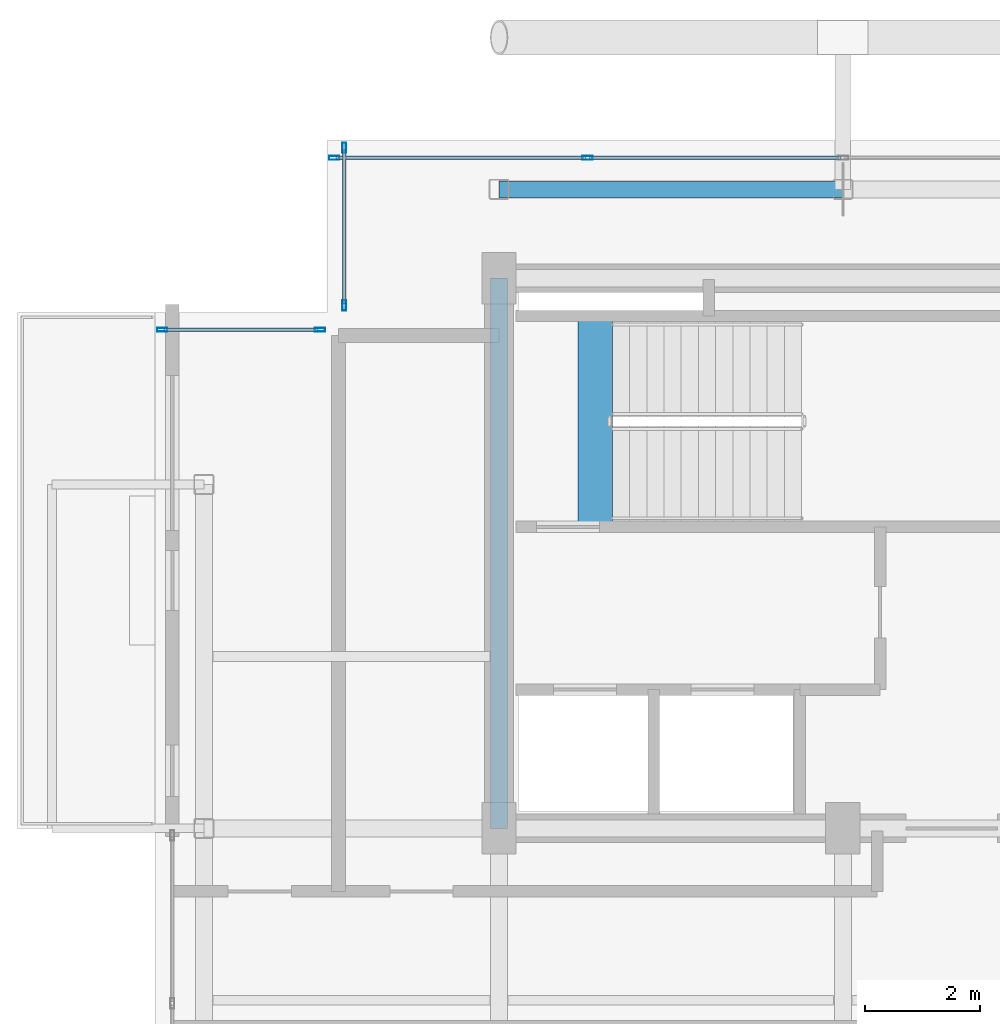
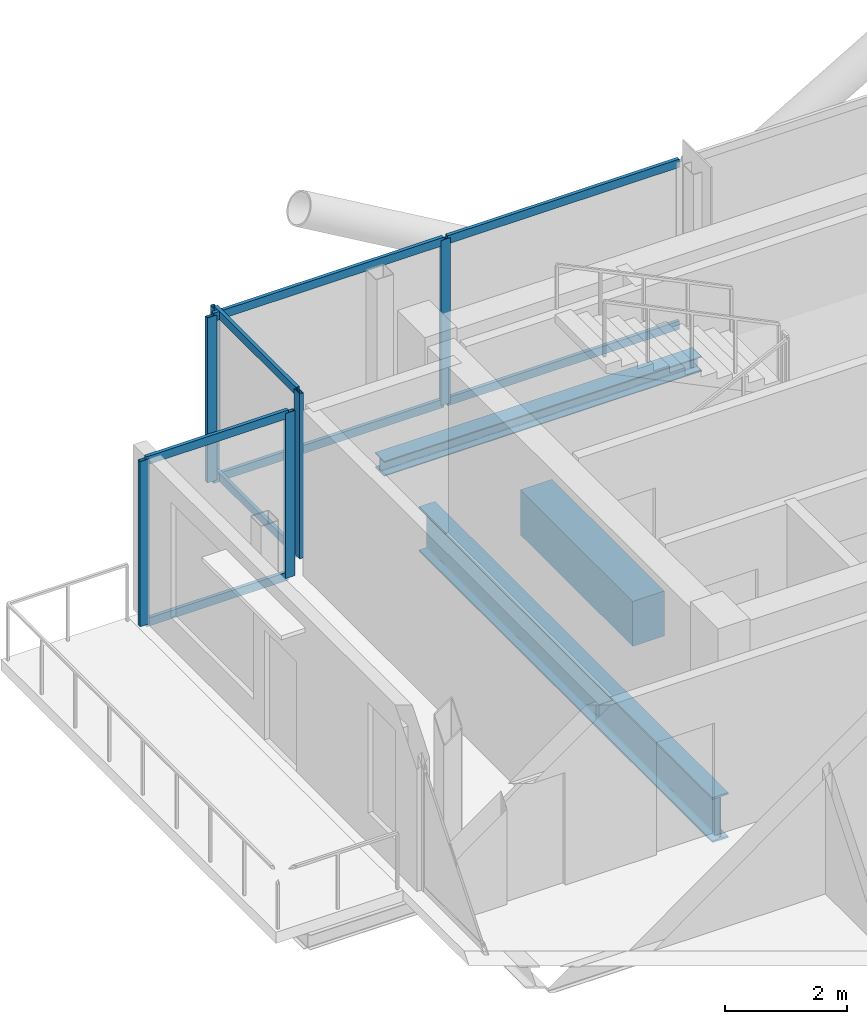
# One storey, part 7 of 18: 14 members, 3 beams, 3 elements without a shape of their own.
"""IFC4 building model written with IfcOpenShell, lengths in metres."""

from ifc_helpers import new_model, si_unit, direction, frame, origin, origin_2d, place, context, subcontext, project, spatial, rectangle, hollow_rectangle, i_section, extrude, material, layer, layer_set, material_profile, profile_set, type_object, element, aggregate, save


model = new_model("IFC4")

# Units and contexts
model_context = context("Model", 3, precision=1e-05, world=origin(), true_north=direction((0.0, 1.0)))
body_context = subcontext(model_context, "Body", "Model", "MODEL_VIEW")
ifc_project = project(units=[si_unit("LENGTHUNIT", "METRE"), si_unit("AREAUNIT", "SQUARE_METRE"), si_unit("VOLUMEUNIT", "CUBIC_METRE"), si_unit("PLANEANGLEUNIT", "RADIAN"), si_unit("MASSUNIT", "GRAM", prefix="KILO"), si_unit("THERMODYNAMICTEMPERATUREUNIT", "KELVIN"), si_unit("POWERUNIT", "WATT")], contexts=[model_context])

# Site, building, storey
site_placement = place(None, origin())
site = spatial("IfcSite", under=ifc_project, at=site_placement, CompositionType="ELEMENT")
building_placement = place(site_placement, origin())
building = spatial("IfcBuilding", under=site, at=building_placement, Name="Svarakhadi Broadcast Tower", CompositionType="ELEMENT")
storey_placement = place(building_placement, frame((0.0, 0.0, 246.699951171875)))
storey = spatial("IfcBuildingStorey", under=building, at=storey_placement, Name="L61", CompositionType="ELEMENT", Elevation=246.699951171875)

# Curtain wall, members
ifc_material_1 = material(Name="Anodised Bronze Aluminium AA 6063-T6", Category="aluminium")
ifc_layer = layer(ifc_material_1, 0.179931640625)
ifc_layer_set = layer_set([ifc_layer], Name="Anodised Bronze Aluminium AA 6063-T6")
curtain_wall_type = type_object("IfcCurtainWallType", Name="CW_Sys_05", PredefinedType="NOTDEFINED", material=ifc_layer_set)
curtain_wall_1_placement = place(storey_placement, origin())
curtain_wall_1 = element("IfcCurtainWall", 1, at=curtain_wall_1_placement, inside=storey, type_object=curtain_wall_type, Name="L61 Unitised Facade Curtain Wall 03", PredefinedType="NOTDEFINED")
ifc_material_profile_1 = material_profile(ifc_material_1, hollow_rectangle(XDim=0.070068359375, YDim=0.179931640625, WallThickness=0.005615234375, at=origin_2d()), Name="ALU MULLION 180x70x6")
ifc_profile_set_1 = profile_set([ifc_material_profile_1], Name="Anodised Bronze Aluminium AA 6063-T6")
member_type_1 = type_object("IfcMemberType", Name="CW_Sys_05_Mul", PredefinedType="MULLION", material=ifc_profile_set_1)
member_1_placement = place(storey_placement, frame((0.125, 26.699951171875, 0.0), z_axis=(0.0, 0.0, 1.0), x_axis=(0.0, 1.0, 0.0)))
member_1 = element("IfcMember", 2, at=member_1_placement, type_object=member_type_1, Name="CW-05 mullion 1", PredefinedType="MULLION", context=body_context, shape_type="SweptSolid", body=[
    extrude(hollow_rectangle(XDim=0.070068359375, YDim=0.179931640625, WallThickness=0.005615234375, at=origin_2d()), origin(), (0.0, 0.0, 1.0), 3.300048828125),
])
member_2_placement = place(storey_placement, frame((2.875, 26.699951171875, 0.0), z_axis=(0.0, 0.0, 1.0), x_axis=(0.0, 1.0, 0.0)))
member_2 = element("IfcMember", 3, at=member_2_placement, type_object=member_type_1, Name="CW-05 mullion 2", PredefinedType="MULLION", context=body_context, shape_type="SweptSolid", body=[
    extrude(hollow_rectangle(XDim=0.070068359375, YDim=0.179931640625, WallThickness=0.005615234375, at=origin_2d()), origin(), (0.0, 0.0, 1.0), 3.300048828125),
])

curtain_wall_2_placement = place(storey_placement, origin())
curtain_wall_2 = element("IfcCurtainWall", 4, at=curtain_wall_2_placement, inside=storey, type_object=curtain_wall_type, Name="L61 Unitised Facade Curtain Wall 04", PredefinedType="NOTDEFINED")
member_3_placement = place(storey_placement, frame((3.300048828125, 27.125, 0.0), z_axis=(0.0, 0.0, 1.0), x_axis=(-1.0, 0.0, 0.0)))
member_3 = element("IfcMember", 5, at=member_3_placement, type_object=member_type_1, Name="CW-05 mullion 1", PredefinedType="MULLION", context=body_context, shape_type="SweptSolid", body=[
    extrude(hollow_rectangle(XDim=0.070068359375, YDim=0.179931640625, WallThickness=0.005615234375, at=origin_2d()), origin(), (0.0, 0.0, 1.0), 3.300048828125),
])
member_4_placement = place(storey_placement, frame((3.300048828125, 29.875, 0.0), z_axis=(0.0, 0.0, 1.0), x_axis=(-1.0, 0.0, 0.0)))
member_4 = element("IfcMember", 6, at=member_4_placement, type_object=member_type_1, Name="CW-05 mullion 2", PredefinedType="MULLION", context=body_context, shape_type="SweptSolid", body=[
    extrude(hollow_rectangle(XDim=0.070068359375, YDim=0.179931640625, WallThickness=0.005615234375, at=origin_2d()), origin(), (0.0, 0.0, 1.0), 3.300048828125),
])

curtain_wall_3_placement = place(storey_placement, origin())
curtain_wall_3 = element("IfcCurtainWall", 7, at=curtain_wall_3_placement, inside=storey, type_object=curtain_wall_type, Name="L61 Unitised Facade Curtain Wall 05", PredefinedType="NOTDEFINED")
member_5_placement = place(storey_placement, frame((3.125, 29.699951171875, 0.0), z_axis=(0.0, 0.0, 1.0), x_axis=(0.0, 1.0, 0.0)))
member_5 = element("IfcMember", 8, at=member_5_placement, type_object=member_type_1, Name="CW-05 mullion 1", PredefinedType="MULLION", context=body_context, shape_type="SweptSolid", body=[
    extrude(hollow_rectangle(XDim=0.070068359375, YDim=0.179931640625, WallThickness=0.005615234375, at=origin_2d()), origin(), (0.0, 0.0, 1.0), 3.300048828125),
])
member_6_placement = place(storey_placement, frame((7.544921875, 29.699951171875, 0.0), z_axis=(0.0, 0.0, 1.0), x_axis=(0.0, 1.0, 0.0)))
member_6 = element("IfcMember", 9, at=member_6_placement, type_object=member_type_1, Name="CW-05 mullion 2", PredefinedType="MULLION", context=body_context, shape_type="SweptSolid", body=[
    extrude(hollow_rectangle(XDim=0.070068359375, YDim=0.179931640625, WallThickness=0.005615234375, at=origin_2d()), origin(), (0.0, 0.0, 1.0), 3.300048828125),
])

# Member
ifc_material_profile_2 = material_profile(ifc_material_1, hollow_rectangle(XDim=0.06494140625, YDim=0.1650390625, WallThickness=0.0048828125, at=origin_2d()), Name="ALU TRANSOM 165x65x5")
ifc_profile_set_2 = profile_set([ifc_material_profile_2], Name="Anodised Bronze Aluminium AA 6063-T6")
member_type_2 = type_object("IfcMemberType", Name="CW_Sys_05_Trn", PredefinedType="USERDEFINED", material=ifc_profile_set_2)
member_7_placement = place(storey_placement, frame((0.159912109375, 26.699951171875, 0.032470703125), z_axis=(1.0, 0.0, 0.0), x_axis=(0.0, 1.0, 0.0)))
member_7 = element("IfcMember", 10, at=member_7_placement, type_object=member_type_2, Name="CW-05 transom 1.1", ObjectType="TRANSOM", PredefinedType="USERDEFINED", context=body_context, shape_type="SweptSolid", body=[
    extrude(hollow_rectangle(XDim=0.06494140625, YDim=0.1650390625, WallThickness=0.0048828125, at=origin_2d()), origin(), (0.0, 0.0, 1.0), 2.68017578125),
])

member_8_placement = place(storey_placement, frame((0.159912109375, 26.699951171875, 3.267578125), z_axis=(1.0, 0.0, 0.0), x_axis=(0.0, 1.0, 0.0)))
member_8 = element("IfcMember", 11, at=member_8_placement, type_object=member_type_2, Name="CW-05 transom 1.2", ObjectType="TRANSOM", PredefinedType="USERDEFINED", context=body_context, shape_type="SweptSolid", body=[
    extrude(hollow_rectangle(XDim=0.06494140625, YDim=0.1650390625, WallThickness=0.0048828125, at=origin_2d()), origin(), (0.0, 0.0, 1.0), 2.68017578125),
])

aggregate(curtain_wall_1, [member_1, member_2, member_7, member_8])

member_9_placement = place(storey_placement, frame((3.300048828125, 27.159912109375, 0.032470703125), z_axis=(0.0, 1.0, 0.0), x_axis=(-1.0, 0.0, 0.0)))
member_9 = element("IfcMember", 12, at=member_9_placement, type_object=member_type_2, Name="CW-05 transom 1.1", ObjectType="TRANSOM", PredefinedType="USERDEFINED", context=body_context, shape_type="SweptSolid", body=[
    extrude(hollow_rectangle(XDim=0.06494140625, YDim=0.1650390625, WallThickness=0.0048828125, at=origin_2d()), origin(), (0.0, 0.0, 1.0), 2.68017578125),
])

member_10_placement = place(storey_placement, frame((3.300048828125, 27.159912109375, 3.267578125), z_axis=(0.0, 1.0, 0.0), x_axis=(-1.0, 0.0, 0.0)))
member_10 = element("IfcMember", 13, at=member_10_placement, type_object=member_type_2, Name="CW-05 transom 1.2", ObjectType="TRANSOM", PredefinedType="USERDEFINED", context=body_context, shape_type="SweptSolid", body=[
    extrude(hollow_rectangle(XDim=0.06494140625, YDim=0.1650390625, WallThickness=0.0048828125, at=origin_2d()), origin(), (0.0, 0.0, 1.0), 2.68017578125),
])

aggregate(curtain_wall_2, [member_3, member_4, member_9, member_10])

member_11_placement = place(storey_placement, frame((3.159912109375, 29.699951171875, 0.032470703125), z_axis=(1.0, 0.0, 0.0), x_axis=(0.0, 1.0, 0.0)))
member_11 = element("IfcMember", 14, at=member_11_placement, type_object=member_type_2, Name="CW-05 transom 1.1", ObjectType="TRANSOM", PredefinedType="USERDEFINED", context=body_context, shape_type="SweptSolid", body=[
    extrude(hollow_rectangle(XDim=0.06494140625, YDim=0.1650390625, WallThickness=0.0048828125, at=origin_2d()), origin(), (0.0, 0.0, 1.0), 4.35009765625),
])

member_12_placement = place(storey_placement, frame((3.159912109375, 29.699951171875, 3.267578125), z_axis=(1.0, 0.0, 0.0), x_axis=(0.0, 1.0, 0.0)))
member_12 = element("IfcMember", 15, at=member_12_placement, type_object=member_type_2, Name="CW-05 transom 1.2", ObjectType="TRANSOM", PredefinedType="USERDEFINED", context=body_context, shape_type="SweptSolid", body=[
    extrude(hollow_rectangle(XDim=0.06494140625, YDim=0.1650390625, WallThickness=0.0048828125, at=origin_2d()), origin(), (0.0, 0.0, 1.0), 4.35009765625),
])

member_13_placement = place(storey_placement, frame((7.580078125, 29.699951171875, 0.032470703125), z_axis=(1.0, 0.0, 0.0), x_axis=(0.0, 1.0, 0.0)))
member_13 = element("IfcMember", 16, at=member_13_placement, type_object=member_type_2, Name="CW-05 transom 2.1", ObjectType="TRANSOM", PredefinedType="USERDEFINED", context=body_context, shape_type="SweptSolid", body=[
    extrude(hollow_rectangle(XDim=0.06494140625, YDim=0.1650390625, WallThickness=0.0048828125, at=origin_2d()), origin(), (0.0, 0.0, 1.0), 4.385009765625),
])

member_14_placement = place(storey_placement, frame((7.580078125, 29.699951171875, 3.267578125), z_axis=(1.0, 0.0, 0.0), x_axis=(0.0, 1.0, 0.0)))
member_14 = element("IfcMember", 17, at=member_14_placement, type_object=member_type_2, Name="CW-05 transom 2.2", ObjectType="TRANSOM", PredefinedType="USERDEFINED", context=body_context, shape_type="SweptSolid", body=[
    extrude(hollow_rectangle(XDim=0.06494140625, YDim=0.1650390625, WallThickness=0.0048828125, at=origin_2d()), origin(), (0.0, 0.0, 1.0), 4.385009765625),
])

aggregate(curtain_wall_3, [member_5, member_6, member_11, member_12, member_13, member_14])

# Beams
ifc_material_2 = material(Name="Concrete C50/60 (IS 456 M60)", Category="concrete")
ifc_material_profile_3 = material_profile(ifc_material_2, rectangle(XDim=0.60009765625, YDim=0.89990234375, at=origin_2d()), Name="RC 600x900")
ifc_profile_set_3 = profile_set([ifc_material_profile_3], Name="Concrete C50/60 (IS 456 M60)")
beam_type_1 = type_object("IfcBeamType", Name="Coupling_RC600", PredefinedType="USERDEFINED", material=ifc_profile_set_3)
beam_1_placement = place(storey_placement, frame((7.679931640625, 23.260009765625, -0.449951171875), z_axis=(0.0, 1.0, 0.0), x_axis=(-1.0, 0.0, 0.0)))
element("IfcBeam", 18, at=beam_1_placement, inside=storey, type_object=beam_type_1, Name="L61 Stair ST-01 Landing Throat Trimmer Beam CB-01", ObjectType="GIRDER", PredefinedType="USERDEFINED", context=body_context, shape_type="SweptSolid", body=[
    extrude(rectangle(XDim=0.60009765625, YDim=0.89990234375, at=origin_2d()), origin(), (0.0, 0.0, 1.0), 3.679931640625),
])
ifc_material_3 = material(Name="Steel S355J2 (IS 2062 E350C)", Category="steel")
ifc_material_profile_4 = material_profile(ifc_material_3, i_section(OverallWidth=0.300048828125, OverallDepth=0.300048828125, WebThickness=0.010986328125, FlangeThickness=0.01904296875, FilletRadius=0.027099609375, at=origin_2d()), Name="WPB 300x300x117")
ifc_profile_set_4 = profile_set([ifc_material_profile_4], Name="Steel S355J2 (IS 2062 E350C)")
beam_type_2 = type_object("IfcBeamType", Name="Girder_WPB300", PredefinedType="USERDEFINED", material=ifc_profile_set_4)
beam_2_placement = place(storey_placement, frame((6.0, 29.14990234375, -0.349853515625), z_axis=(1.0, 0.0, 0.0), x_axis=(0.0, 1.0, 0.0)))
element("IfcBeam", 19, at=beam_2_placement, inside=storey, type_object=beam_type_2, Name="L61 Primary E-W Girder G024", ObjectType="GIRDER", PredefinedType="USERDEFINED", context=body_context, shape_type="SweptSolid", body=[
    extrude(i_section(OverallWidth=0.300048828125, OverallDepth=0.300048828125, WebThickness=0.010986328125, FlangeThickness=0.01904296875, FilletRadius=0.027099609375, at=origin_2d()), origin(), (0.0, 0.0, 1.0), 6.0),
])
ifc_material_4 = material(Name="Steel S460ML (IS 2062 E450BR)", Category="steel")
ifc_material_profile_5 = material_profile(ifc_material_4, i_section(OverallWidth=0.300048828125, OverallDepth=0.89990234375, WebThickness=0.0185546875, FlangeThickness=0.034912109375, FilletRadius=0.030029296875, at=origin_2d()), Name="WPB 900x300x291")
ifc_profile_set_5 = profile_set([ifc_material_profile_5], Name="Steel S460ML (IS 2062 E450BR)")
beam_type_3 = type_object("IfcBeamType", Name="Girder_WPB900", PredefinedType="USERDEFINED", material=ifc_profile_set_5)
beam_3_placement = place(storey_placement, frame((6.0, 18.0, -0.64990234375), z_axis=(0.0, 1.0, 0.0), x_axis=(-1.0, 0.0, 0.0)))
element("IfcBeam", 20, at=beam_3_placement, inside=storey, type_object=beam_type_3, Name="L61 Primary N-S Girder G032", ObjectType="GIRDER", PredefinedType="USERDEFINED", context=body_context, shape_type="SweptSolid", body=[
    extrude(i_section(OverallWidth=0.300048828125, OverallDepth=0.89990234375, WebThickness=0.0185546875, FlangeThickness=0.034912109375, FilletRadius=0.030029296875, at=origin_2d()), origin(), (0.0, 0.0, 1.0), 9.60009765625),
])

save(model, "model.ifc")
